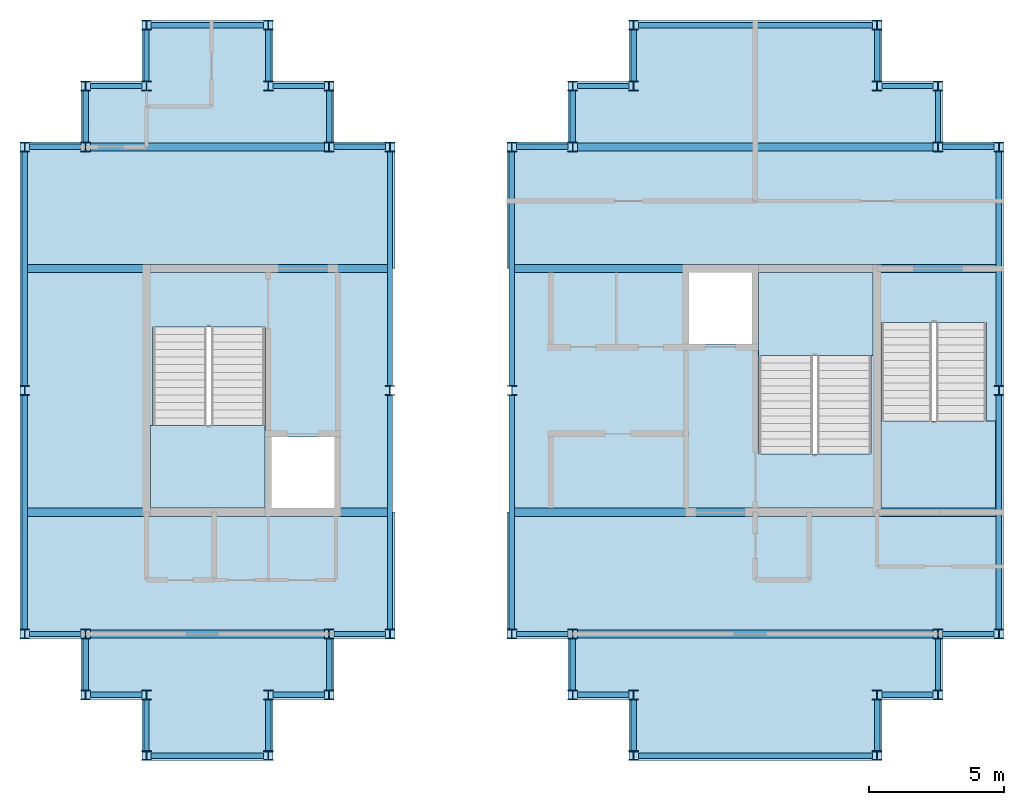
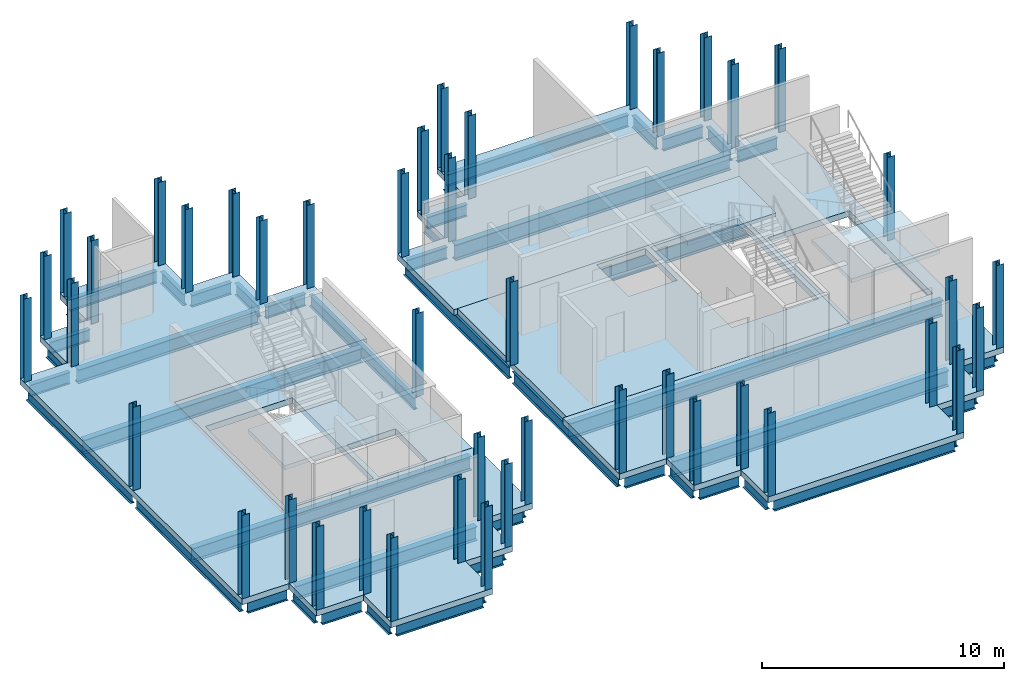
# One storey, part 1 of 7: 52 beams, 44 columns, 7 slabs, 3 elements without a shape of their own.
"""IFC4 building model written with IfcOpenShell, lengths in metres."""

import ifcopenshell
import ifcopenshell.guid

model = None  # the IFC model being written
_history = None  # IfcOwnerHistory: only IFC2X3 demands one
_inside = {}  # id of a spatial element -> (the spatial element, [elements in it])
_under = {}  # id of a project, library or spatial element -> (it, [spatial elements below it])
_declared = {}  # id of a project -> (the project, [libraries it declares])
_typed = {}  # id of a type object -> (the type object, [elements of that type])
_made_of = {}  # id of a material, layer set ... -> (it, [elements and type objects made of it])


def new_model(schema):
    """Start an empty IFC model of exactly this schema.

    Asked for "IFC4X3", IfcOpenShell would pick the latest addendum, in which some entities
    have other attributes; the version numbers below select the first issue.
    IFC2X3 requires an IfcOwnerHistory on every rooted entity: one is made here for all.
    """
    global model, _history
    if schema == "IFC4X3":
        model = ifcopenshell.file(schema_version=(4, 3, 0, 0))
    else:
        model = ifcopenshell.file(schema=schema)
    _inside.clear()
    _under.clear()
    _declared.clear()
    _typed.clear()
    _made_of.clear()
    _history = None
    if model.schema == "IFC2X3":
        org = make("IfcOrganization", Name="unknown")
        user = make(
            "IfcPersonAndOrganization",
            ThePerson=make("IfcPerson", FamilyName="unknown"),
            TheOrganization=org,
        )
        app = make(
            "IfcApplication",
            ApplicationDeveloper=org,
            Version="unknown",
            ApplicationFullName="unknown",
            ApplicationIdentifier="unknown",
        )
        _history = make(
            "IfcOwnerHistory",
            OwningUser=user,
            OwningApplication=app,
            ChangeAction="ADDED",
            CreationDate=0,
        )
    return model


def make(cls, **values):
    """One entity of the class cls with the attributes given. An attribute that is None is left unset."""
    return model.create_entity(
        cls, **{name: value for name, value in values.items() if value is not None}
    )


def rooted(cls, **values):
    """An entity with a GlobalId (a new one), such as an element, a storey or a relation."""
    return make(cls, GlobalId=ifcopenshell.guid.new(), OwnerHistory=_history, **values)


def si_unit(unit_type, name, prefix=None):
    """IfcSIUnit, for example si_unit("LENGTHUNIT", "METRE", prefix="MILLI")."""
    return make("IfcSIUnit", UnitType=unit_type, Prefix=prefix, Name=name)


def assignment(units):
    """IfcUnitAssignment: the units of a project."""
    return None if units is None else make("IfcUnitAssignment", Units=units)


def point(xyz):
    """IfcCartesianPoint."""
    return None if xyz is None else make("IfcCartesianPoint", Coordinates=xyz)


def direction(xyz):
    """IfcDirection."""
    return None if xyz is None else make("IfcDirection", DirectionRatios=xyz)


def frame(location, z_axis=None, x_axis=None):
    """IfcAxis2Placement3D, a coordinate frame: its origin and axes. An axis left out is left unset."""
    return make(
        "IfcAxis2Placement3D",
        Location=point(location),
        Axis=direction(z_axis),
        RefDirection=direction(x_axis),
    )


def frame_2d(location, x_axis=None):
    """IfcAxis2Placement2D, a coordinate frame in the plane: its origin and x axis."""
    return make(
        "IfcAxis2Placement2D", Location=point(location), RefDirection=direction(x_axis)
    )


def origin():
    """The frame at (0, 0, 0) with its axes left unset."""
    return frame((0.0, 0.0, 0.0))


def origin_2d():
    """The frame at (0, 0) in the plane with its x axis left unset."""
    return frame_2d((0.0, 0.0))


def place(relative_to, where):
    """IfcLocalPlacement: puts the frame where relative to a parent placement (None: the world)."""
    return make(
        "IfcLocalPlacement", PlacementRelTo=relative_to, RelativePlacement=where
    )


def context(
    kind, dimensions, precision=None, world=None, true_north=None, identifier=None
):
    """IfcGeometricRepresentationContext, for example the 3D "Model" context."""
    return make(
        "IfcGeometricRepresentationContext",
        ContextIdentifier=identifier,
        ContextType=kind,
        CoordinateSpaceDimension=dimensions,
        Precision=precision,
        WorldCoordinateSystem=world,
        TrueNorth=true_north,
    )


def subcontext(parent, identifier, kind, view, scale=None):
    """IfcGeometricRepresentationSubContext, for example "Body" below "Model"."""
    return make(
        "IfcGeometricRepresentationSubContext",
        ContextIdentifier=identifier,
        ContextType=kind,
        ParentContext=parent,
        TargetScale=scale,
        TargetView=view,
    )


def project(units=None, contexts=None):
    """IfcProject with its units and contexts."""
    return rooted(
        "IfcProject",
        Name="project",
        RepresentationContexts=contexts,
        UnitsInContext=assignment(units),
    )


def spatial(cls, under=None, at=None, **own):
    """A site, building, storey or space (cls), placed at a placement, below another one or the project."""
    s = rooted(cls, ObjectPlacement=at, **own)
    if under is not None:
        _under.setdefault(under.id(), (under, []))[1].append(s)
    return s


def polyline(points):
    """IfcPolyline through the points."""
    return make("IfcPolyline", Points=[point(p) for p in points])


def profile(cls, at=None, kind="AREA", **sizes):
    """A parametric profile (cls). Its sizes go by their IFC names, for example OverallWidth=200.0."""
    return make(cls, ProfileType=kind, Position=at, **sizes)


def i_section(**sizes):
    """IfcIShapeProfileDef."""
    return profile("IfcIShapeProfileDef", **sizes)


def outline(outer, holes=None, kind="AREA"):
    """IfcArbitraryClosedProfileDef: a profile drawn as a closed curve; with holes, ...WithVoids."""
    if holes is None:
        return make("IfcArbitraryClosedProfileDef", ProfileType=kind, OuterCurve=outer)
    return make(
        "IfcArbitraryProfileDefWithVoids",
        ProfileType=kind,
        OuterCurve=outer,
        InnerCurves=holes,
    )


def extrude(swept, where, along, depth):
    """IfcExtrudedAreaSolid: the profile swept, set in the frame where, extruded along a direction by depth."""
    return make(
        "IfcExtrudedAreaSolid",
        SweptArea=swept,
        Position=where,
        ExtrudedDirection=direction(along),
        Depth=depth,
    )


def shape(context_of_items, identifier, shape_type, items):
    """IfcShapeRepresentation: the items that make up one representation, for example the "Body"."""
    return make(
        "IfcShapeRepresentation",
        ContextOfItems=context_of_items,
        RepresentationIdentifier=identifier,
        RepresentationType=shape_type,
        Items=items,
    )


def material(Name=None, Category=None):
    """IfcMaterial."""
    return make("IfcMaterial", Name=Name, Category=Category)


def layer(
    of_material, thickness, ventilated=None, Name=None, Category=None, Priority=None
):
    """IfcMaterialLayer: one layer of a wall or slab, of a material (None: an air gap)."""
    return make(
        "IfcMaterialLayer",
        Material=of_material,
        LayerThickness=thickness,
        IsVentilated=ventilated,
        Name=Name,
        Category=Category,
        Priority=Priority,
    )


def layer_set(layers, Name=None):
    """IfcMaterialLayerSet."""
    return make("IfcMaterialLayerSet", MaterialLayers=layers, LayerSetName=Name)


def material_profile(
    of_material, cross_section, Name=None, Category=None, Priority=None
):
    """IfcMaterialProfile: a cross section and its material."""
    return make(
        "IfcMaterialProfile",
        Name=Name,
        Material=of_material,
        Profile=cross_section,
        Priority=Priority,
        Category=Category,
    )


def profile_set(profiles, Name=None, composite=None):
    """IfcMaterialProfileSet."""
    return make(
        "IfcMaterialProfileSet",
        Name=Name,
        MaterialProfiles=profiles,
        CompositeProfile=composite,
    )


def made_of(thing, what):
    """Note that an element or type object is made of a material, layer set ...; save() writes the relation."""
    if what is not None:
        _made_of.setdefault(what.id(), (what, []))[1].append(thing)
    return thing


def type_object(cls, material=None, **own):
    """A type object (cls), such as IfcWallType, which elements share."""
    return made_of(rooted(cls, **own), material)


def element(
    cls,
    number,
    at=None,
    inside=None,
    cuts=None,
    type_object=None,
    material=None,
    context=None,
    identifier="Body",
    shape_type=None,
    held_by="IfcProductDefinitionShape",
    body=None,
    shapes=None,
    **own,
):
    """One element of the class cls, such as IfcWall. Its Tag is "e" and its number.

    at: its placement. inside: the storey or other place that contains it. cuts: it is an
    opening in that element (IfcRelVoidsElement). A single representation is given by context,
    identifier, shape_type and body (its items); several are given by shapes. held_by: the class
    of the entity that holds the representations. save() writes the other relations.
    """
    e = rooted(cls, Tag="e%d" % number, ObjectPlacement=at, **own)
    if body is not None:
        shapes = [shape(context, identifier, shape_type, body)]
    if shapes is not None:
        e.Representation = make(held_by, Representations=shapes)
    if inside is not None:
        _inside.setdefault(inside.id(), (inside, []))[1].append(e)
    if cuts is not None:
        rooted(
            "IfcRelVoidsElement", RelatingBuildingElement=cuts, RelatedOpeningElement=e
        )
    if type_object is not None:
        _typed.setdefault(type_object.id(), (type_object, []))[1].append(e)
    return made_of(e, material)


def aggregate(whole, parts):
    """IfcRelAggregates: a whole, such as a stair, and the parts it consists of."""
    return rooted("IfcRelAggregates", RelatingObject=whole, RelatedObjects=parts)


def save(model, path):
    """Write the relations noted so far, then the file.

    IfcRelAggregates (storeys below a building ...), IfcRelContainedInSpatialStructure (elements
    in a storey), IfcRelDefinesByType, IfcRelAssociatesMaterial and IfcRelDeclares: one each for
    every whole, place, type object, material and project.
    """
    for whole, parts in _under.values():
        aggregate(whole, parts)
    for where, things in _inside.values():
        rooted(
            "IfcRelContainedInSpatialStructure",
            RelatedElements=things,
            RelatingStructure=where,
        )
    for kind, things in _typed.values():
        rooted("IfcRelDefinesByType", RelatedObjects=things, RelatingType=kind)
    for what, things in _made_of.values():
        rooted("IfcRelAssociatesMaterial", RelatedObjects=things, RelatingMaterial=what)
    for by, libraries in _declared.values():
        rooted("IfcRelDeclares", RelatingContext=by, RelatedDefinitions=libraries)
    model.write(path)


model = new_model("IFC4")

# Units and contexts
model_context = context("Model", 3, precision=1e-05, world=origin(), true_north=direction((0.0, 1.0)))
body_context = subcontext(model_context, "Body", "Model", "MODEL_VIEW")
ifc_project = project(units=[si_unit("LENGTHUNIT", "METRE"), si_unit("AREAUNIT", "SQUARE_METRE"), si_unit("VOLUMEUNIT", "CUBIC_METRE"), si_unit("PLANEANGLEUNIT", "RADIAN"), si_unit("MASSUNIT", "GRAM", prefix="KILO")], contexts=[model_context])

# Site, building, storey
site_placement = place(None, origin())
site = spatial("IfcSite", under=ifc_project, at=site_placement, CompositionType="ELEMENT")
building_placement = place(site_placement, origin())
building = spatial("IfcBuilding", under=site, at=building_placement, Name="Caravel Reach Hotel and Residences", CompositionType="ELEMENT")
storey_placement = place(building_placement, frame((0.0, 0.0, 317.0)))
storey = spatial("IfcBuildingStorey", under=building, at=storey_placement, Name="L80", CompositionType="ELEMENT", Elevation=317.0)

# Columns
ifc_material_1 = material(Name="Structural steel Q355B", Category="steel")
ifc_material_profile_1 = material_profile(ifc_material_1, i_section(OverallWidth=0.35009765625, OverallDepth=0.35009765625, WebThickness=0.011962890625, FlangeThickness=0.01904296875, FilletRadius=0.012939453125, at=origin_2d()), Name="HW 350x350x12x19")
ifc_profile_set_1 = profile_set([ifc_material_profile_1], Name="Structural steel Q355B")
column_type = type_object("IfcColumnType", Name="Crown column HW 350x350x12x19", PredefinedType="COLUMN", material=ifc_profile_set_1)
for number, where, z_axis, x_axis, name in (
    (1, (45.0, 13.5, 0.0), (0.0, 0.0, 1.0), (1.0, 0.0, 0.0), "C19 column"),
    (2, (45.0, 15.75, 0.0), (0.0, 0.0, 1.0), (1.0, 0.0, 0.0), "C19 column"),
    (3, (47.25, 15.75, 0.0), (0.0, 0.0, 1.0), (1.0, 0.0, 0.0), "C19 column"),
    (4, (47.25, 18.0, 0.0), (0.0, 0.0, 1.0), (1.0, 0.0, 0.0), "C19 column"),
    (5, (49.5, 18.0, 0.0), (0.0, 0.0, 1.0), (1.0, 0.0, 0.0), "C19 column"),
    (6, (49.5, 27.0, 0.0), (0.0, 0.0, 1.0), (1.0, 0.0, 0.0), "C19 column"),
    (7, (49.5, 36.0, 0.0), (0.0, 0.0, 1.0), (1.0, 0.0, 0.0), "C19 column"),
    (8, (47.25, 36.0, 0.0), (0.0, 0.0, 1.0), (1.0, 0.0, 0.0), "C19 column"),
    (9, (47.25, 38.25, 0.0), (0.0, 0.0, 1.0), (1.0, 0.0, 0.0), "C19 column"),
    (10, (45.0, 38.25, 0.0), (0.0, 0.0, 1.0), (1.0, 0.0, 0.0), "C19 column"),
    (11, (45.0, 40.5, 0.0), (0.0, 0.0, 1.0), (1.0, 0.0, 0.0), "C19 column"),
    (12, (36.0, 40.5, 0.0), (0.0, 0.0, 1.0), (1.0, 0.0, 0.0), "C19 column"),
    (13, (36.0, 38.25, 0.0), (0.0, 0.0, 1.0), (1.0, 0.0, 0.0), "C19 column"),
    (14, (33.75, 38.25, 0.0), (0.0, 0.0, 1.0), (1.0, 0.0, 0.0), "C19 column"),
    (15, (33.75, 36.0, 0.0), (0.0, 0.0, 1.0), (1.0, 0.0, 0.0), "C19 column"),
    (16, (31.5, 36.0, 0.0), (0.0, 0.0, 1.0), (1.0, 0.0, 0.0), "C19 column"),
    (17, (31.5, 27.0, 0.0), (0.0, 0.0, 1.0), (1.0, 0.0, 0.0), "C19 column"),
    (18, (31.5, 18.0, 0.0), (0.0, 0.0, 1.0), (1.0, 0.0, 0.0), "C19 column"),
    (19, (33.75, 18.0, 0.0), (0.0, 0.0, 1.0), (1.0, 0.0, 0.0), "C19 column"),
    (20, (33.75, 15.75, 0.0), (0.0, 0.0, 1.0), (1.0, 0.0, 0.0), "C19 column"),
    (21, (36.0, 15.75, 0.0), (0.0, 0.0, 1.0), (1.0, 0.0, 0.0), "C19 column"),
    (22, (36.0, 13.5, 0.0), (0.0, 0.0, 1.0), (1.0, 0.0, 0.0), "C19 column"),
    (23, (22.5, 13.5, 0.0), (0.0, 0.0, 1.0), (1.0, 0.0, 0.0), "C19 column"),
    (24, (22.5, 15.75, 0.0), (0.0, 0.0, 1.0), (1.0, 0.0, 0.0), "C19 column"),
    (25, (24.75, 15.75, 0.0), (0.0, 0.0, 1.0), (1.0, 0.0, 0.0), "C19 column"),
    (26, (24.75, 18.0, 0.0), (0.0, 0.0, 1.0), (1.0, 0.0, 0.0), "C19 column"),
    (27, (27.0, 18.0, 0.0), (0.0, 0.0, 1.0), (1.0, 0.0, 0.0), "C19 column"),
    (28, (27.0, 27.0, 0.0), (0.0, 0.0, 1.0), (1.0, 0.0, 0.0), "C19 column"),
    (29, (27.0, 36.0, 0.0), (0.0, 0.0, 1.0), (1.0, 0.0, 0.0), "C19 column"),
    (30, (24.75, 36.0, 0.0), (0.0, 0.0, 1.0), (1.0, 0.0, 0.0), "C19 column"),
    (31, (24.75, 38.25, 0.0), (0.0, 0.0, 1.0), (1.0, 0.0, 0.0), "C19 column"),
    (32, (22.5, 38.25, 0.0), (0.0, 0.0, 1.0), (1.0, 0.0, 0.0), "C19 column"),
    (33, (22.5, 40.5, 0.0), (0.0, 0.0, 1.0), (1.0, 0.0, 0.0), "C19 column"),
    (34, (18.0, 40.5, 0.0), (0.0, 0.0, 1.0), (1.0, 0.0, 0.0), "C19 column"),
    (35, (18.0, 38.25, 0.0), (0.0, 0.0, 1.0), (1.0, 0.0, 0.0), "C19 column"),
    (36, (15.75, 38.25, 0.0), (0.0, 0.0, 1.0), (1.0, 0.0, 0.0), "C19 column"),
    (37, (15.75, 36.0, 0.0), (0.0, 0.0, 1.0), (1.0, 0.0, 0.0), "C19 column"),
    (38, (13.5, 36.0, 0.0), (0.0, 0.0, 1.0), (1.0, 0.0, 0.0), "C19 column"),
    (39, (13.5, 27.0, 0.0), (0.0, 0.0, 1.0), (1.0, 0.0, 0.0), "C19 column"),
    (40, (13.5, 18.0, 0.0), (0.0, 0.0, 1.0), (1.0, 0.0, 0.0), "C19 column"),
    (41, (15.75, 18.0, 0.0), (0.0, 0.0, 1.0), (1.0, 0.0, 0.0), "C19 column"),
    (42, (15.75, 15.75, 0.0), (0.0, 0.0, 1.0), (1.0, 0.0, 0.0), "C19 column"),
    (43, (18.0, 15.75, 0.0), (0.0, 0.0, 1.0), (1.0, 0.0, 0.0), "C19 column"),
    (44, (18.0, 13.5, 0.0), (0.0, 0.0, 1.0), (1.0, 0.0, 0.0), "C19 column"),
):
    element("IfcColumn", number, at=place(storey_placement, frame(where, z_axis=z_axis, x_axis=x_axis)), inside=storey, type_object=column_type, Name=name, PredefinedType="COLUMN", context=body_context, shape_type="SweptSolid", body=[
        extrude(i_section(OverallWidth=0.35009765625, OverallDepth=0.35009765625, WebThickness=0.011962890625, FlangeThickness=0.01904296875, FilletRadius=0.012939453125, at=origin_2d()), origin(), (0.0, 0.0, 1.0), 4.199951171875),
    ])

# Beams
ifc_material_2 = material(Name="Structural steel Q355B", Category="steel")
ifc_material_profile_2 = material_profile(ifc_material_2, i_section(OverallWidth=0.300048828125, OverallDepth=0.699951171875, WebThickness=0.012939453125, FlangeThickness=0.02392578125, FilletRadius=0.01806640625, at=origin_2d()), Name="HN 700x300x13x24")
ifc_profile_set_2 = profile_set([ifc_material_profile_2], Name="Structural steel Q355B")
beam_type_1 = type_object("IfcBeamType", Name="Beam HN 700x300x13x24", PredefinedType="BEAM", material=ifc_profile_set_2)
beam_1_placement = place(storey_placement, frame((15.925048828125, 18.0, -0.64990234375), z_axis=(1.0, 0.0, 0.0), x_axis=(0.0, 1.0, 0.0)))
element("IfcBeam", 45, at=beam_1_placement, inside=storey, type_object=beam_type_1, Name="B2 HN 700x300x13x24", PredefinedType="BEAM", context=body_context, shape_type="SweptSolid", body=[
    extrude(i_section(OverallWidth=0.300048828125, OverallDepth=0.699951171875, WebThickness=0.012939453125, FlangeThickness=0.02392578125, FilletRadius=0.01806640625, at=origin_2d()), origin(), (0.0, 0.0, 1.0), 8.64990234375),
])
for number, where, z_axis, x_axis, name in (
    (46, (13.60009765625, 22.5, -0.64990234375), (1.0, 0.0, 0.0), (0.0, 1.0, 0.0), "B2 HN 700x300x13x24"),
    (47, (13.60009765625, 31.5, -0.64990234375), (1.0, 0.0, 0.0), (0.0, 1.0, 0.0), "B2 HN 700x300x13x24"),
):
    element("IfcBeam", number, at=place(storey_placement, frame(where, z_axis=z_axis, x_axis=x_axis)), inside=storey, type_object=beam_type_1, Name=name, PredefinedType="BEAM", context=body_context, shape_type="SweptSolid", body=[
        extrude(i_section(OverallWidth=0.300048828125, OverallDepth=0.699951171875, WebThickness=0.012939453125, FlangeThickness=0.02392578125, FilletRadius=0.01806640625, at=origin_2d()), origin(), (0.0, 0.0, 1.0), 13.2998046875),
    ])
beam_2_placement = place(storey_placement, frame((15.925048828125, 36.0, -0.64990234375), z_axis=(1.0, 0.0, 0.0), x_axis=(0.0, 1.0, 0.0)))
element("IfcBeam", 48, at=beam_2_placement, inside=storey, type_object=beam_type_1, Name="B2 HN 700x300x13x24", PredefinedType="BEAM", context=body_context, shape_type="SweptSolid", body=[
    extrude(i_section(OverallWidth=0.300048828125, OverallDepth=0.699951171875, WebThickness=0.012939453125, FlangeThickness=0.02392578125, FilletRadius=0.01806640625, at=origin_2d()), origin(), (0.0, 0.0, 1.0), 8.64990234375),
])
ifc_material_3 = material(Name="Structural steel Q355B", Category="steel")
ifc_material_profile_3 = material_profile(ifc_material_3, i_section(OverallWidth=0.300048828125, OverallDepth=0.800048828125, WebThickness=0.013916015625, FlangeThickness=0.02587890625, FilletRadius=0.01806640625, at=origin_2d()), Name="HN 800x300x14x26")
ifc_profile_set_3 = profile_set([ifc_material_profile_3], Name="Structural steel Q355B")
beam_type_2 = type_object("IfcBeamType", Name="Beam HN 800x300x14x26", PredefinedType="BEAM", material=ifc_profile_set_3)
beam_3_placement = place(storey_placement, frame((33.925048828125, 18.0, -0.699951171875), z_axis=(1.0, 0.0, 0.0), x_axis=(0.0, 1.0, 0.0)))
element("IfcBeam", 49, at=beam_3_placement, inside=storey, type_object=beam_type_2, Name="B4 HN 800x300x14x26", PredefinedType="BEAM", context=body_context, shape_type="SweptSolid", body=[
    extrude(i_section(OverallWidth=0.300048828125, OverallDepth=0.800048828125, WebThickness=0.013916015625, FlangeThickness=0.02587890625, FilletRadius=0.01806640625, at=origin_2d()), origin(), (0.0, 0.0, 1.0), 13.14990234375),
])
for number, where, z_axis, x_axis, name in (
    (50, (31.60009765625, 22.5, -0.699951171875), (1.0, 0.0, 0.0), (0.0, 1.0, 0.0), "B4 HN 800x300x14x26"),
    (51, (31.60009765625, 31.5, -0.699951171875), (1.0, 0.0, 0.0), (0.0, 1.0, 0.0), "B4 HN 800x300x14x26"),
):
    element("IfcBeam", number, at=place(storey_placement, frame(where, z_axis=z_axis, x_axis=x_axis)), inside=storey, type_object=beam_type_2, Name=name, PredefinedType="BEAM", context=body_context, shape_type="SweptSolid", body=[
        extrude(i_section(OverallWidth=0.300048828125, OverallDepth=0.800048828125, WebThickness=0.013916015625, FlangeThickness=0.02587890625, FilletRadius=0.01806640625, at=origin_2d()), origin(), (0.0, 0.0, 1.0), 17.7998046875),
    ])
beam_4_placement = place(storey_placement, frame((33.925048828125, 36.0, -0.699951171875), z_axis=(1.0, 0.0, 0.0), x_axis=(0.0, 1.0, 0.0)))
element("IfcBeam", 52, at=beam_4_placement, inside=storey, type_object=beam_type_2, Name="B4 HN 800x300x14x26", PredefinedType="BEAM", context=body_context, shape_type="SweptSolid", body=[
    extrude(i_section(OverallWidth=0.300048828125, OverallDepth=0.800048828125, WebThickness=0.013916015625, FlangeThickness=0.02587890625, FilletRadius=0.01806640625, at=origin_2d()), origin(), (0.0, 0.0, 1.0), 13.14990234375),
])
ifc_material_4 = material(Name="Structural steel Q355B", Category="steel")
ifc_material_profile_4 = material_profile(ifc_material_4, i_section(OverallWidth=0.199951171875, OverallDepth=0.60009765625, WebThickness=0.010986328125, FlangeThickness=0.01708984375, FilletRadius=0.012939453125, at=origin_2d()), Name="HN 600x200x11x17")
ifc_profile_set_4 = profile_set([ifc_material_profile_4], Name="Structural steel Q355B")
beam_type_3 = type_object("IfcBeamType", Name="Spandrel beam HN 600x200x11x17", PredefinedType="SPANDREL", material=ifc_profile_set_4)
for number, where, z_axis, x_axis, name in (
    (53, (45.0, 13.675048828125, -0.60009765625), (0.0, 1.0, 0.0), (-1.0, 0.0, 0.0), "SP1 HN 600x200x11x17"),
    (54, (45.175048828125, 15.75, -0.60009765625), (1.0, 0.0, 0.0), (0.0, 1.0, 0.0), "SP1 HN 600x200x11x17"),
    (55, (47.25, 15.925048828125, -0.60009765625), (0.0, 1.0, 0.0), (-1.0, 0.0, 0.0), "SP1 HN 600x200x11x17"),
    (56, (47.425048828125, 18.0, -0.60009765625), (1.0, 0.0, 0.0), (0.0, 1.0, 0.0), "SP1 HN 600x200x11x17"),
):
    element("IfcBeam", number, at=place(storey_placement, frame(where, z_axis=z_axis, x_axis=x_axis)), inside=storey, type_object=beam_type_3, Name=name, PredefinedType="SPANDREL", context=body_context, shape_type="SweptSolid", body=[
        extrude(i_section(OverallWidth=0.199951171875, OverallDepth=0.60009765625, WebThickness=0.010986328125, FlangeThickness=0.01708984375, FilletRadius=0.012939453125, at=origin_2d()), origin(), (0.0, 0.0, 1.0), 1.89990234375),
    ])
for number, where, z_axis, x_axis, name in (
    (57, (49.5, 18.175048828125, -0.60009765625), (0.0, 1.0, 0.0), (-1.0, 0.0, 0.0), "SP1 HN 600x200x11x17"),
    (58, (49.5, 27.175048828125, -0.60009765625), (0.0, 1.0, 0.0), (-1.0, 0.0, 0.0), "SP1 HN 600x200x11x17"),
):
    element("IfcBeam", number, at=place(storey_placement, frame(where, z_axis=z_axis, x_axis=x_axis)), inside=storey, type_object=beam_type_3, Name=name, PredefinedType="SPANDREL", context=body_context, shape_type="SweptSolid", body=[
        extrude(i_section(OverallWidth=0.199951171875, OverallDepth=0.60009765625, WebThickness=0.010986328125, FlangeThickness=0.01708984375, FilletRadius=0.012939453125, at=origin_2d()), origin(), (0.0, 0.0, 1.0), 8.64990234375),
    ])
for number, where, z_axis, x_axis, name in (
    (59, (49.324951171875, 36.0, -0.60009765625), (-1.0, 0.0, 0.0), (0.0, -1.0, 0.0), "SP1 HN 600x200x11x17"),
    (60, (47.25, 36.175048828125, -0.60009765625), (0.0, 1.0, 0.0), (-1.0, 0.0, 0.0), "SP1 HN 600x200x11x17"),
    (61, (47.074951171875, 38.25, -0.60009765625), (-1.0, 0.0, 0.0), (0.0, -1.0, 0.0), "SP1 HN 600x200x11x17"),
    (62, (45.0, 38.425048828125, -0.60009765625), (0.0, 1.0, 0.0), (-1.0, 0.0, 0.0), "SP1 HN 600x200x11x17"),
):
    element("IfcBeam", number, at=place(storey_placement, frame(where, z_axis=z_axis, x_axis=x_axis)), inside=storey, type_object=beam_type_3, Name=name, PredefinedType="SPANDREL", context=body_context, shape_type="SweptSolid", body=[
        extrude(i_section(OverallWidth=0.199951171875, OverallDepth=0.60009765625, WebThickness=0.010986328125, FlangeThickness=0.01708984375, FilletRadius=0.012939453125, at=origin_2d()), origin(), (0.0, 0.0, 1.0), 1.89990234375),
    ])
beam_5_placement = place(storey_placement, frame((44.824951171875, 40.5, -0.60009765625), z_axis=(-1.0, 0.0, 0.0), x_axis=(0.0, -1.0, 0.0)))
element("IfcBeam", 63, at=beam_5_placement, inside=storey, type_object=beam_type_3, Name="SP1 HN 600x200x11x17", PredefinedType="SPANDREL", context=body_context, shape_type="SweptSolid", body=[
    extrude(i_section(OverallWidth=0.199951171875, OverallDepth=0.60009765625, WebThickness=0.010986328125, FlangeThickness=0.01708984375, FilletRadius=0.012939453125, at=origin_2d()), origin(), (0.0, 0.0, 1.0), 8.64990234375),
])
for number, where, z_axis, x_axis, name in (
    (64, (36.0, 40.324951171875, -0.60009765625), (0.0, -1.0, 0.0), (1.0, 0.0, 0.0), "SP1 HN 600x200x11x17"),
    (65, (35.824951171875, 38.25, -0.60009765625), (-1.0, 0.0, 0.0), (0.0, -1.0, 0.0), "SP1 HN 600x200x11x17"),
    (66, (33.75, 38.074951171875, -0.60009765625), (0.0, -1.0, 0.0), (1.0, 0.0, 0.0), "SP1 HN 600x200x11x17"),
    (67, (33.574951171875, 36.0, -0.60009765625), (-1.0, 0.0, 0.0), (0.0, -1.0, 0.0), "SP1 HN 600x200x11x17"),
):
    element("IfcBeam", number, at=place(storey_placement, frame(where, z_axis=z_axis, x_axis=x_axis)), inside=storey, type_object=beam_type_3, Name=name, PredefinedType="SPANDREL", context=body_context, shape_type="SweptSolid", body=[
        extrude(i_section(OverallWidth=0.199951171875, OverallDepth=0.60009765625, WebThickness=0.010986328125, FlangeThickness=0.01708984375, FilletRadius=0.012939453125, at=origin_2d()), origin(), (0.0, 0.0, 1.0), 1.89990234375),
    ])
for number, where, z_axis, x_axis, name in (
    (68, (31.5, 35.824951171875, -0.60009765625), (0.0, -1.0, 0.0), (1.0, 0.0, 0.0), "SP1 HN 600x200x11x17"),
    (69, (31.5, 26.824951171875, -0.60009765625), (0.0, -1.0, 0.0), (1.0, 0.0, 0.0), "SP1 HN 600x200x11x17"),
):
    element("IfcBeam", number, at=place(storey_placement, frame(where, z_axis=z_axis, x_axis=x_axis)), inside=storey, type_object=beam_type_3, Name=name, PredefinedType="SPANDREL", context=body_context, shape_type="SweptSolid", body=[
        extrude(i_section(OverallWidth=0.199951171875, OverallDepth=0.60009765625, WebThickness=0.010986328125, FlangeThickness=0.01708984375, FilletRadius=0.012939453125, at=origin_2d()), origin(), (0.0, 0.0, 1.0), 8.64990234375),
    ])
for number, where, z_axis, x_axis, name in (
    (70, (31.675048828125, 18.0, -0.60009765625), (1.0, 0.0, 0.0), (0.0, 1.0, 0.0), "SP1 HN 600x200x11x17"),
    (71, (33.75, 17.824951171875, -0.60009765625), (0.0, -1.0, 0.0), (1.0, 0.0, 0.0), "SP1 HN 600x200x11x17"),
    (72, (33.925048828125, 15.75, -0.60009765625), (1.0, 0.0, 0.0), (0.0, 1.0, 0.0), "SP1 HN 600x200x11x17"),
    (73, (36.0, 15.574951171875, -0.60009765625), (0.0, -1.0, 0.0), (1.0, 0.0, 0.0), "SP1 HN 600x200x11x17"),
):
    element("IfcBeam", number, at=place(storey_placement, frame(where, z_axis=z_axis, x_axis=x_axis)), inside=storey, type_object=beam_type_3, Name=name, PredefinedType="SPANDREL", context=body_context, shape_type="SweptSolid", body=[
        extrude(i_section(OverallWidth=0.199951171875, OverallDepth=0.60009765625, WebThickness=0.010986328125, FlangeThickness=0.01708984375, FilletRadius=0.012939453125, at=origin_2d()), origin(), (0.0, 0.0, 1.0), 1.89990234375),
    ])
beam_6_placement = place(storey_placement, frame((36.175048828125, 13.5, -0.60009765625), z_axis=(1.0, 0.0, 0.0), x_axis=(0.0, 1.0, 0.0)))
element("IfcBeam", 74, at=beam_6_placement, inside=storey, type_object=beam_type_3, Name="SP1 HN 600x200x11x17", PredefinedType="SPANDREL", context=body_context, shape_type="SweptSolid", body=[
    extrude(i_section(OverallWidth=0.199951171875, OverallDepth=0.60009765625, WebThickness=0.010986328125, FlangeThickness=0.01708984375, FilletRadius=0.012939453125, at=origin_2d()), origin(), (0.0, 0.0, 1.0), 8.64990234375),
])
for number, where, z_axis, x_axis, name in (
    (75, (22.5, 13.675048828125, -0.60009765625), (0.0, 1.0, 0.0), (-1.0, 0.0, 0.0), "SP1 HN 600x200x11x17"),
    (76, (22.675048828125, 15.75, -0.60009765625), (1.0, 0.0, 0.0), (0.0, 1.0, 0.0), "SP1 HN 600x200x11x17"),
    (77, (24.75, 15.925048828125, -0.60009765625), (0.0, 1.0, 0.0), (-1.0, 0.0, 0.0), "SP1 HN 600x200x11x17"),
    (78, (24.925048828125, 18.0, -0.60009765625), (1.0, 0.0, 0.0), (0.0, 1.0, 0.0), "SP1 HN 600x200x11x17"),
):
    element("IfcBeam", number, at=place(storey_placement, frame(where, z_axis=z_axis, x_axis=x_axis)), inside=storey, type_object=beam_type_3, Name=name, PredefinedType="SPANDREL", context=body_context, shape_type="SweptSolid", body=[
        extrude(i_section(OverallWidth=0.199951171875, OverallDepth=0.60009765625, WebThickness=0.010986328125, FlangeThickness=0.01708984375, FilletRadius=0.012939453125, at=origin_2d()), origin(), (0.0, 0.0, 1.0), 1.89990234375),
    ])
for number, where, z_axis, x_axis, name in (
    (79, (27.0, 18.175048828125, -0.60009765625), (0.0, 1.0, 0.0), (-1.0, 0.0, 0.0), "SP1 HN 600x200x11x17"),
    (80, (27.0, 27.175048828125, -0.60009765625), (0.0, 1.0, 0.0), (-1.0, 0.0, 0.0), "SP1 HN 600x200x11x17"),
):
    element("IfcBeam", number, at=place(storey_placement, frame(where, z_axis=z_axis, x_axis=x_axis)), inside=storey, type_object=beam_type_3, Name=name, PredefinedType="SPANDREL", context=body_context, shape_type="SweptSolid", body=[
        extrude(i_section(OverallWidth=0.199951171875, OverallDepth=0.60009765625, WebThickness=0.010986328125, FlangeThickness=0.01708984375, FilletRadius=0.012939453125, at=origin_2d()), origin(), (0.0, 0.0, 1.0), 8.64990234375),
    ])
for number, where, z_axis, x_axis, name in (
    (81, (26.824951171875, 36.0, -0.60009765625), (-1.0, 0.0, 0.0), (0.0, -1.0, 0.0), "SP1 HN 600x200x11x17"),
    (82, (24.75, 36.175048828125, -0.60009765625), (0.0, 1.0, 0.0), (-1.0, 0.0, 0.0), "SP1 HN 600x200x11x17"),
    (83, (24.574951171875, 38.25, -0.60009765625), (-1.0, 0.0, 0.0), (0.0, -1.0, 0.0), "SP1 HN 600x200x11x17"),
    (84, (22.5, 38.425048828125, -0.60009765625), (0.0, 1.0, 0.0), (-1.0, 0.0, 0.0), "SP1 HN 600x200x11x17"),
):
    element("IfcBeam", number, at=place(storey_placement, frame(where, z_axis=z_axis, x_axis=x_axis)), inside=storey, type_object=beam_type_3, Name=name, PredefinedType="SPANDREL", context=body_context, shape_type="SweptSolid", body=[
        extrude(i_section(OverallWidth=0.199951171875, OverallDepth=0.60009765625, WebThickness=0.010986328125, FlangeThickness=0.01708984375, FilletRadius=0.012939453125, at=origin_2d()), origin(), (0.0, 0.0, 1.0), 1.89990234375),
    ])
beam_7_placement = place(storey_placement, frame((22.324951171875, 40.5, -0.60009765625), z_axis=(-1.0, 0.0, 0.0), x_axis=(0.0, -1.0, 0.0)))
element("IfcBeam", 85, at=beam_7_placement, inside=storey, type_object=beam_type_3, Name="SP1 HN 600x200x11x17", PredefinedType="SPANDREL", context=body_context, shape_type="SweptSolid", body=[
    extrude(i_section(OverallWidth=0.199951171875, OverallDepth=0.60009765625, WebThickness=0.010986328125, FlangeThickness=0.01708984375, FilletRadius=0.012939453125, at=origin_2d()), origin(), (0.0, 0.0, 1.0), 4.14990234375),
])
for number, where, z_axis, x_axis, name in (
    (86, (18.0, 40.324951171875, -0.60009765625), (0.0, -1.0, 0.0), (1.0, 0.0, 0.0), "SP1 HN 600x200x11x17"),
    (87, (17.824951171875, 38.25, -0.60009765625), (-1.0, 0.0, 0.0), (0.0, -1.0, 0.0), "SP1 HN 600x200x11x17"),
    (88, (15.75, 38.074951171875, -0.60009765625), (0.0, -1.0, 0.0), (1.0, 0.0, 0.0), "SP1 HN 600x200x11x17"),
    (89, (15.574951171875, 36.0, -0.60009765625), (-1.0, 0.0, 0.0), (0.0, -1.0, 0.0), "SP1 HN 600x200x11x17"),
):
    element("IfcBeam", number, at=place(storey_placement, frame(where, z_axis=z_axis, x_axis=x_axis)), inside=storey, type_object=beam_type_3, Name=name, PredefinedType="SPANDREL", context=body_context, shape_type="SweptSolid", body=[
        extrude(i_section(OverallWidth=0.199951171875, OverallDepth=0.60009765625, WebThickness=0.010986328125, FlangeThickness=0.01708984375, FilletRadius=0.012939453125, at=origin_2d()), origin(), (0.0, 0.0, 1.0), 1.89990234375),
    ])
for number, where, z_axis, x_axis, name in (
    (90, (13.5, 35.824951171875, -0.60009765625), (0.0, -1.0, 0.0), (1.0, 0.0, 0.0), "SP1 HN 600x200x11x17"),
    (91, (13.5, 26.824951171875, -0.60009765625), (0.0, -1.0, 0.0), (1.0, 0.0, 0.0), "SP1 HN 600x200x11x17"),
):
    element("IfcBeam", number, at=place(storey_placement, frame(where, z_axis=z_axis, x_axis=x_axis)), inside=storey, type_object=beam_type_3, Name=name, PredefinedType="SPANDREL", context=body_context, shape_type="SweptSolid", body=[
        extrude(i_section(OverallWidth=0.199951171875, OverallDepth=0.60009765625, WebThickness=0.010986328125, FlangeThickness=0.01708984375, FilletRadius=0.012939453125, at=origin_2d()), origin(), (0.0, 0.0, 1.0), 8.64990234375),
    ])
for number, where, z_axis, x_axis, name in (
    (92, (13.675048828125, 18.0, -0.60009765625), (1.0, 0.0, 0.0), (0.0, 1.0, 0.0), "SP1 HN 600x200x11x17"),
    (93, (15.75, 17.824951171875, -0.60009765625), (0.0, -1.0, 0.0), (1.0, 0.0, 0.0), "SP1 HN 600x200x11x17"),
    (94, (15.925048828125, 15.75, -0.60009765625), (1.0, 0.0, 0.0), (0.0, 1.0, 0.0), "SP1 HN 600x200x11x17"),
    (95, (18.0, 15.574951171875, -0.60009765625), (0.0, -1.0, 0.0), (1.0, 0.0, 0.0), "SP1 HN 600x200x11x17"),
):
    element("IfcBeam", number, at=place(storey_placement, frame(where, z_axis=z_axis, x_axis=x_axis)), inside=storey, type_object=beam_type_3, Name=name, PredefinedType="SPANDREL", context=body_context, shape_type="SweptSolid", body=[
        extrude(i_section(OverallWidth=0.199951171875, OverallDepth=0.60009765625, WebThickness=0.010986328125, FlangeThickness=0.01708984375, FilletRadius=0.012939453125, at=origin_2d()), origin(), (0.0, 0.0, 1.0), 1.89990234375),
    ])
beam_8_placement = place(storey_placement, frame((18.175048828125, 13.5, -0.60009765625), z_axis=(1.0, 0.0, 0.0), x_axis=(0.0, 1.0, 0.0)))
element("IfcBeam", 96, at=beam_8_placement, inside=storey, type_object=beam_type_3, Name="SP1 HN 600x200x11x17", PredefinedType="SPANDREL", context=body_context, shape_type="SweptSolid", body=[
    extrude(i_section(OverallWidth=0.199951171875, OverallDepth=0.60009765625, WebThickness=0.010986328125, FlangeThickness=0.01708984375, FilletRadius=0.012939453125, at=origin_2d()), origin(), (0.0, 0.0, 1.0), 4.14990234375),
])

# Slabs
ifc_material_5 = material(Name="Concrete C40", Category="concrete")
ifc_layer_1 = layer(ifc_material_5, 0.300048828125)
ifc_layer_set_1 = layer_set([ifc_layer_1], Name="Core floor slab 300 mm")
slab_type_1 = type_object("IfcSlabType", Name="Core floor slab 300 mm", PredefinedType="FLOOR", material=ifc_layer_set_1)
slab_1_placement = place(storey_placement, frame((0.0, 0.0, -0.300048828125)))
element("IfcSlab", 97, at=slab_1_placement, inside=storey, type_object=slab_type_1, Name="L80 core floor", PredefinedType="FLOOR", context=body_context, shape_type="SweptSolid", body=[
    extrude(outline(polyline([(45.0, 22.5), (31.5, 22.5), (31.5, 31.5), (45.0, 31.5), (45.0, 22.5)]), holes=[polyline([(40.625, 24.64990234375), (44.77490234375, 24.64990234375), (44.77490234375, 31.35009765625), (40.625, 31.35009765625), (40.625, 24.64990234375)]), polyline([(38.0537109375, 28.72509765625), (40.375, 28.72509765625), (40.375, 31.35009765625), (38.0537109375, 31.35009765625), (38.0537109375, 28.72509765625)])]), origin(), (0.0, 0.0, 1.0), 0.300048828125),
])
slab_2_placement = place(storey_placement, frame((0.0, 0.0, -0.300048828125)))
element("IfcSlab", 98, at=slab_2_placement, inside=storey, type_object=slab_type_1, Name="L80 core floor", PredefinedType="FLOOR", context=body_context, shape_type="SweptSolid", body=[
    extrude(outline(polyline([(18.0, 31.5), (27.0, 31.5), (27.0, 22.5), (18.0, 22.5), (18.0, 31.5)]), holes=[polyline([(22.625, 22.64990234375), (24.9462890625, 22.64990234375), (24.9462890625, 25.27490234375), (22.625, 25.27490234375), (22.625, 22.64990234375)]), polyline([(22.375, 29.35009765625), (18.22509765625, 29.35009765625), (18.22509765625, 22.64990234375), (22.375, 22.64990234375), (22.375, 29.35009765625)])]), origin(), (0.0, 0.0, 1.0), 0.300048828125),
])

# Stair, slab
ifc_material_6 = material(Name="Concrete C40", Category="concrete")
stair_type = type_object("IfcStairType", Name="Core stair", PredefinedType="HALF_TURN_STAIR", material=ifc_material_6)
stair_1_placement = place(storey_placement, origin())
stair_1 = element("IfcStair", 99, at=stair_1_placement, inside=storey, type_object=stair_type, Name="L80 Exit stair A", PredefinedType="HALF_TURN_STAIR")
ifc_material_7 = material(Name="Concrete C40", Category="concrete")
ifc_layer_2 = layer(ifc_material_7, 0.199951171875)
ifc_layer_set_2 = layer_set([ifc_layer_2], Name="Core stair landing")
slab_type_2 = type_object("IfcSlabType", Name="Core stair landing", PredefinedType="LANDING", material=ifc_layer_set_2)
slab_3_placement = place(storey_placement, frame((0.0, 0.0, 1.89990234375)))
slab_3 = element("IfcSlab", 100, at=slab_3_placement, type_object=slab_type_2, Name="ST-A landing 1", PredefinedType="LANDING", context=body_context, shape_type="SweptSolid", body=[
    extrude(outline(polyline([(18.14990234375, 25.7099609375), (18.14990234375, 22.64990234375), (22.375, 22.64990234375), (22.375, 25.7099609375), (18.14990234375, 25.7099609375)])), origin(), (0.0, 0.0, 1.0), 0.2001953125),
])
aggregate(stair_1, [slab_3])

stair_2_placement = place(storey_placement, origin())
stair_2 = element("IfcStair", 101, at=stair_2_placement, inside=storey, type_object=stair_type, Name="L80 Exit stair B", PredefinedType="HALF_TURN_STAIR")
slab_4_placement = place(storey_placement, frame((0.0, 0.0, 1.89990234375)))
slab_4 = element("IfcSlab", 102, at=slab_4_placement, type_object=slab_type_2, Name="ST-B landing 1", PredefinedType="LANDING", context=body_context, shape_type="SweptSolid", body=[
    extrude(outline(polyline([(44.85009765625, 28.2900390625), (44.85009765625, 31.35009765625), (40.625, 31.35009765625), (40.625, 28.2900390625), (44.85009765625, 28.2900390625)])), origin(), (0.0, 0.0, 1.0), 0.2001953125),
])
aggregate(stair_2, [slab_4])

stair_3_placement = place(storey_placement, origin())
stair_3 = element("IfcStair", 103, at=stair_3_placement, inside=storey, type_object=stair_type, Name="L80 Exit stair C", PredefinedType="HALF_TURN_STAIR")
slab_5_placement = place(storey_placement, frame((0.0, 0.0, 1.89990234375)))
slab_5 = element("IfcSlab", 104, at=slab_5_placement, type_object=slab_type_2, Name="ST-C landing 1", PredefinedType="LANDING", context=body_context, shape_type="SweptSolid", body=[
    extrude(outline(polyline([(45.14990234375, 25.875), (45.14990234375, 22.60009765625), (49.3701171875, 22.60009765625), (49.3701171875, 25.875), (45.14990234375, 25.875)])), origin(), (0.0, 0.0, 1.0), 0.2001953125),
])
aggregate(stair_3, [slab_5])

# Slabs
ifc_material_8 = material(Name="Concrete C40 post-tensioned", Category="concrete")
ifc_layer_3 = layer(ifc_material_8, 0.300048828125)
ifc_layer_set_3 = layer_set([ifc_layer_3], Name="Floor slab 300")
slab_type_3 = type_object("IfcSlabType", Name="Floor slab 300", PredefinedType="FLOOR", material=ifc_layer_set_3)
slab_6_placement = place(storey_placement, frame((0.0, 0.0, -0.300048828125)))
element("IfcSlab", 105, at=slab_6_placement, inside=storey, type_object=slab_type_3, Name="S2 slab L80", PredefinedType="FLOOR", context=body_context, shape_type="SweptSolid", body=[
    extrude(outline(polyline([(13.324951171875, 36.175048828125), (15.574951171875, 36.175048828125), (15.574951171875, 38.425048828125), (17.824951171875, 38.425048828125), (17.824951171875, 40.675048828125), (22.675048828125, 40.675048828125), (22.675048828125, 38.425048828125), (24.925048828125, 38.425048828125), (24.925048828125, 36.175048828125), (27.175048828125, 36.175048828125), (27.175048828125, 31.5), (22.5, 31.5), (18.0, 31.5), (18.0, 22.5), (22.5, 22.5), (27.175048828125, 22.5), (27.175048828125, 17.824951171875), (24.925048828125, 17.824951171875), (24.925048828125, 15.574951171875), (22.675048828125, 15.574951171875), (22.675048828125, 13.324951171875), (17.824951171875, 13.324951171875), (17.824951171875, 15.574951171875), (15.574951171875, 15.574951171875), (15.574951171875, 17.824951171875), (13.324951171875, 17.824951171875), (13.324951171875, 36.175048828125)])), origin(), (0.0, 0.0, 1.0), 0.300048828125),
])
slab_7_placement = place(storey_placement, frame((0.0, 0.0, -0.300048828125)))
element("IfcSlab", 106, at=slab_7_placement, inside=storey, type_object=slab_type_3, Name="S2 slab L80", PredefinedType="FLOOR", context=body_context, shape_type="SweptSolid", body=[
    extrude(outline(polyline([(31.324951171875, 22.5), (40.5, 22.5), (45.0, 22.5), (45.0, 31.5), (40.5, 31.5), (31.324951171875, 31.5), (31.324951171875, 36.175048828125), (33.574951171875, 36.175048828125), (33.574951171875, 38.425048828125), (35.824951171875, 38.425048828125), (35.824951171875, 40.675048828125), (45.175048828125, 40.675048828125), (45.175048828125, 38.425048828125), (47.425048828125, 38.425048828125), (47.425048828125, 36.175048828125), (49.675048828125, 36.175048828125), (49.675048828125, 17.824951171875), (47.425048828125, 17.824951171875), (47.425048828125, 15.574951171875), (45.175048828125, 15.574951171875), (45.175048828125, 13.324951171875), (35.824951171875, 13.324951171875), (35.824951171875, 15.574951171875), (33.574951171875, 15.574951171875), (33.574951171875, 17.824951171875), (31.324951171875, 17.824951171875), (31.324951171875, 22.5)]), holes=[polyline([(45.159912109375, 22.6201171875), (49.0400390625, 22.6201171875), (49.0400390625, 29.514892578125), (45.159912109375, 29.514892578125), (45.159912109375, 22.6201171875)])]), origin(), (0.0, 0.0, 1.0), 0.300048828125),
])

save(model, "model.ifc")
